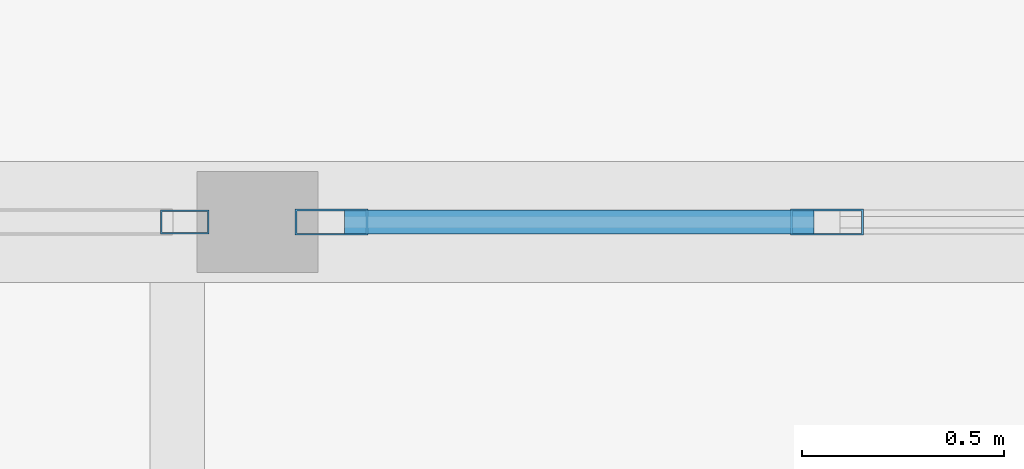
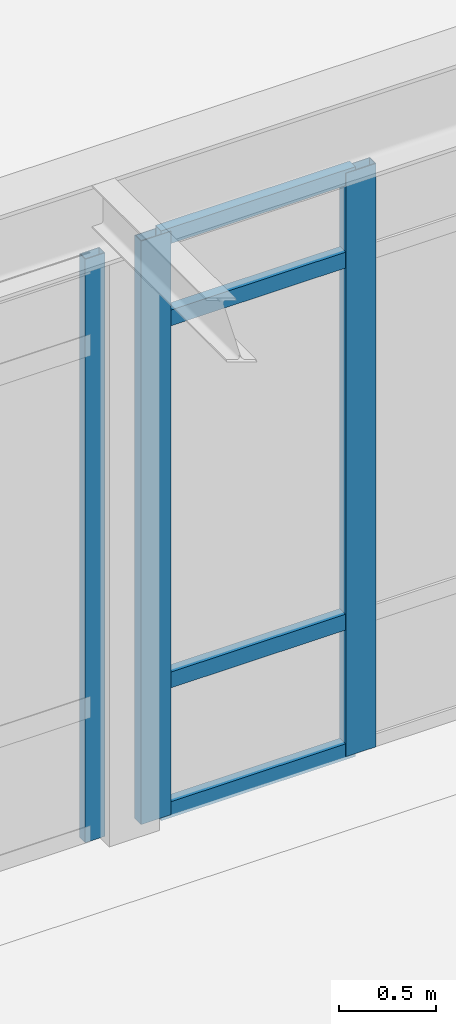
# One storey, part 23 of 55: 7 members, 2 elements without a shape of their own.
"""IFC4 building model written with IfcOpenShell, lengths in metres."""

from ifc_helpers import new_model, si_unit, direction, frame, origin, origin_2d, place, context, subcontext, project, spatial, hollow_rectangle, extrude, material, layer, layer_set, material_profile, profile_set, type_object, element, aggregate, save


model = new_model("IFC4")

# Units and contexts
model_context = context("Model", 3, precision=1e-05, world=origin(), true_north=direction((0.0, 1.0)))
body_context = subcontext(model_context, "Body", "Model", "MODEL_VIEW")
ifc_project = project(units=[si_unit("LENGTHUNIT", "METRE"), si_unit("AREAUNIT", "SQUARE_METRE"), si_unit("VOLUMEUNIT", "CUBIC_METRE"), si_unit("PLANEANGLEUNIT", "RADIAN"), si_unit("MASSUNIT", "GRAM", prefix="KILO")], contexts=[model_context])

# Site, building, storey
site_placement = place(None, origin())
site = spatial("IfcSite", under=ifc_project, at=site_placement, CompositionType="ELEMENT")
building_placement = place(site_placement, origin())
building = spatial("IfcBuilding", under=site, at=building_placement, Name="Fikremerkos Civic Library", CompositionType="ELEMENT")
storey_placement = place(building_placement, frame((0.0, 0.0, 18.89990234375)))
storey = spatial("IfcBuildingStorey", under=building, at=storey_placement, Name="L04", CompositionType="ELEMENT", Elevation=18.89990234375)

# Curtain wall, members
ifc_material = material(Name="Anodized aluminium Frame", Category="aluminium")
ifc_layer_1 = layer(ifc_material, 0.159912109375, Name="Anodized aluminium Frame")
ifc_layer_set_1 = layer_set([ifc_layer_1], Name="Anodized aluminium Frame")
curtain_wall_type_1 = type_object("IfcCurtainWallType", Name="Unitised curtain wall CW-05 3800x4100", PredefinedType="USERDEFINED", material=ifc_layer_set_1)
curtain_wall_1_placement = place(storey_placement, origin())
curtain_wall_1 = element("IfcCurtainWall", 1, at=curtain_wall_1_placement, inside=storey, type_object=curtain_wall_type_1, Name="Unitised curtain wall CW-05 L04 #239", ObjectType="UNITISED CURTAIN WALL", PredefinedType="USERDEFINED")
ifc_material_profile_1 = material_profile(ifc_material, hollow_rectangle(XDim=0.06494140625, YDim=0.179931640625, WallThickness=0.00439453125, at=origin_2d()), Name="ALU 180x65x4.5")
ifc_profile_set_1 = profile_set([ifc_material_profile_1], Name="Anodized aluminium Frame")
member_type_1 = type_object("IfcMemberType", Name="Curtain mullion CWM-01 ALU 180x65x4.5", PredefinedType="MULLION", material=ifc_profile_set_1)
member_1_placement = place(storey_placement, frame((64.581787109375, 31.199951171875, 0.0), z_axis=(0.0, 0.0, 1.0), x_axis=(0.0, 1.0, 0.0)))
member_1 = element("IfcMember", 2, at=member_1_placement, type_object=member_type_1, Name="CW-05 mullion 1", PredefinedType="MULLION", context=body_context, shape_type="SweptSolid", body=[
    extrude(hollow_rectangle(XDim=0.06494140625, YDim=0.179931640625, WallThickness=0.00439453125, at=origin_2d()), origin(), (0.0, 0.0, 1.0), 3.690185546875),
])
member_2_placement = place(storey_placement, frame((65.80810546875, 31.199951171875, 0.0), z_axis=(0.0, 0.0, 1.0), x_axis=(0.0, 1.0, 0.0)))
member_2 = element("IfcMember", 3, at=member_2_placement, type_object=member_type_1, Name="CW-05 mullion 2", PredefinedType="MULLION", context=body_context, shape_type="SweptSolid", body=[
    extrude(hollow_rectangle(XDim=0.06494140625, YDim=0.179931640625, WallThickness=0.00439453125, at=origin_2d()), origin(), (0.0, 0.0, 1.0), 3.690185546875),
])

# Curtain wall, member
ifc_layer_2 = layer(ifc_material, 0.159912109375, Name="Anodized aluminium Frame")
ifc_layer_set_2 = layer_set([ifc_layer_2], Name="Anodized aluminium Frame")
curtain_wall_type_2 = type_object("IfcCurtainWallType", Name="Unitised curtain wall CW-04 3400x3600", PredefinedType="USERDEFINED", material=ifc_layer_set_2)
curtain_wall_2_placement = place(storey_placement, origin())
curtain_wall_2 = element("IfcCurtainWall", 4, at=curtain_wall_2_placement, inside=storey, type_object=curtain_wall_type_2, Name="Unitised curtain wall CW-04 L04 #238", ObjectType="UNITISED CURTAIN WALL", PredefinedType="USERDEFINED")
ifc_material_profile_2 = material_profile(ifc_material, hollow_rectangle(XDim=0.06005859375, YDim=0.1201171875, WallThickness=0.00390625, at=origin_2d()), Name="ALU 120x60x4")
ifc_profile_set_2 = profile_set([ifc_material_profile_2], Name="Anodized aluminium Frame")
member_type_2 = type_object("IfcMemberType", Name="Curtain mullion CWM-04 ALU 120x60x4", PredefinedType="MULLION", material=ifc_profile_set_2)
member_3_placement = place(storey_placement, frame((64.21923828125, 31.199951171875, 0.0), z_axis=(0.0, 0.0, 1.0), x_axis=(0.0, 1.0, 0.0)))
member_3 = element("IfcMember", 5, at=member_3_placement, type_object=member_type_2, Name="CW-04 mullion 4", PredefinedType="MULLION", context=body_context, shape_type="SweptSolid", body=[
    extrude(hollow_rectangle(XDim=0.06005859375, YDim=0.1201171875, WallThickness=0.00390625, at=origin_2d()), origin(), (0.0, 0.0, 1.0), 3.690185546875),
])
aggregate(curtain_wall_2, [member_3])

# Member
ifc_material_profile_3 = material_profile(ifc_material, hollow_rectangle(XDim=0.06005859375, YDim=0.10009765625, WallThickness=0.00390625, at=origin_2d()), Name="ALU 100x60x4")
ifc_profile_set_3 = profile_set([ifc_material_profile_3], Name="Anodized aluminium Frame")
member_type_3 = type_object("IfcMemberType", Name="Curtain transom CWT-03 ALU 100x60x4", PredefinedType="USERDEFINED", material=ifc_profile_set_3)
member_4_placement = place(storey_placement, frame((64.6142578125, 31.199951171875, 0.030029296875), z_axis=(1.0, 0.0, 0.0), x_axis=(0.0, 1.0, 0.0)))
member_4 = element("IfcMember", 6, at=member_4_placement, type_object=member_type_3, Name="CW-05 transom 1.1", ObjectType="TRANSOM", PredefinedType="USERDEFINED", context=body_context, shape_type="SweptSolid", body=[
    extrude(hollow_rectangle(XDim=0.06005859375, YDim=0.10009765625, WallThickness=0.00390625, at=origin_2d()), origin(), (0.0, 0.0, 1.0), 1.161376953125),
])

member_5_placement = place(storey_placement, frame((64.6142578125, 31.199951171875, 0.85009765625), z_axis=(1.0, 0.0, 0.0), x_axis=(0.0, 1.0, 0.0)))
member_5 = element("IfcMember", 7, at=member_5_placement, type_object=member_type_3, Name="CW-05 transom 1.2", ObjectType="TRANSOM", PredefinedType="USERDEFINED", context=body_context, shape_type="SweptSolid", body=[
    extrude(hollow_rectangle(XDim=0.06005859375, YDim=0.10009765625, WallThickness=0.00390625, at=origin_2d()), origin(), (0.0, 0.0, 1.0), 1.161376953125),
])

member_6_placement = place(storey_placement, frame((64.6142578125, 31.199951171875, 3.14013671875), z_axis=(1.0, 0.0, 0.0), x_axis=(0.0, 1.0, 0.0)))
member_6 = element("IfcMember", 8, at=member_6_placement, type_object=member_type_3, Name="CW-05 transom 1.3", ObjectType="TRANSOM", PredefinedType="USERDEFINED", context=body_context, shape_type="SweptSolid", body=[
    extrude(hollow_rectangle(XDim=0.06005859375, YDim=0.10009765625, WallThickness=0.00390625, at=origin_2d()), origin(), (0.0, 0.0, 1.0), 1.161376953125),
])

member_7_placement = place(storey_placement, frame((64.6142578125, 31.199951171875, 3.66015625), z_axis=(1.0, 0.0, 0.0), x_axis=(0.0, 1.0, 0.0)))
member_7 = element("IfcMember", 9, at=member_7_placement, type_object=member_type_3, Name="CW-05 transom 1.4", ObjectType="TRANSOM", PredefinedType="USERDEFINED", context=body_context, shape_type="SweptSolid", body=[
    extrude(hollow_rectangle(XDim=0.06005859375, YDim=0.10009765625, WallThickness=0.00390625, at=origin_2d()), origin(), (0.0, 0.0, 1.0), 1.161376953125),
])

aggregate(curtain_wall_1, [member_1, member_2, member_4, member_5, member_6, member_7])

save(model, "model.ifc")
